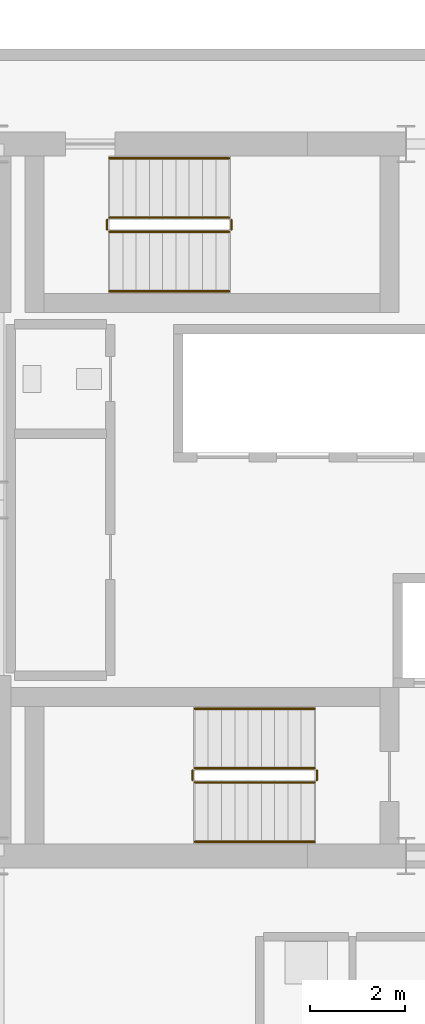
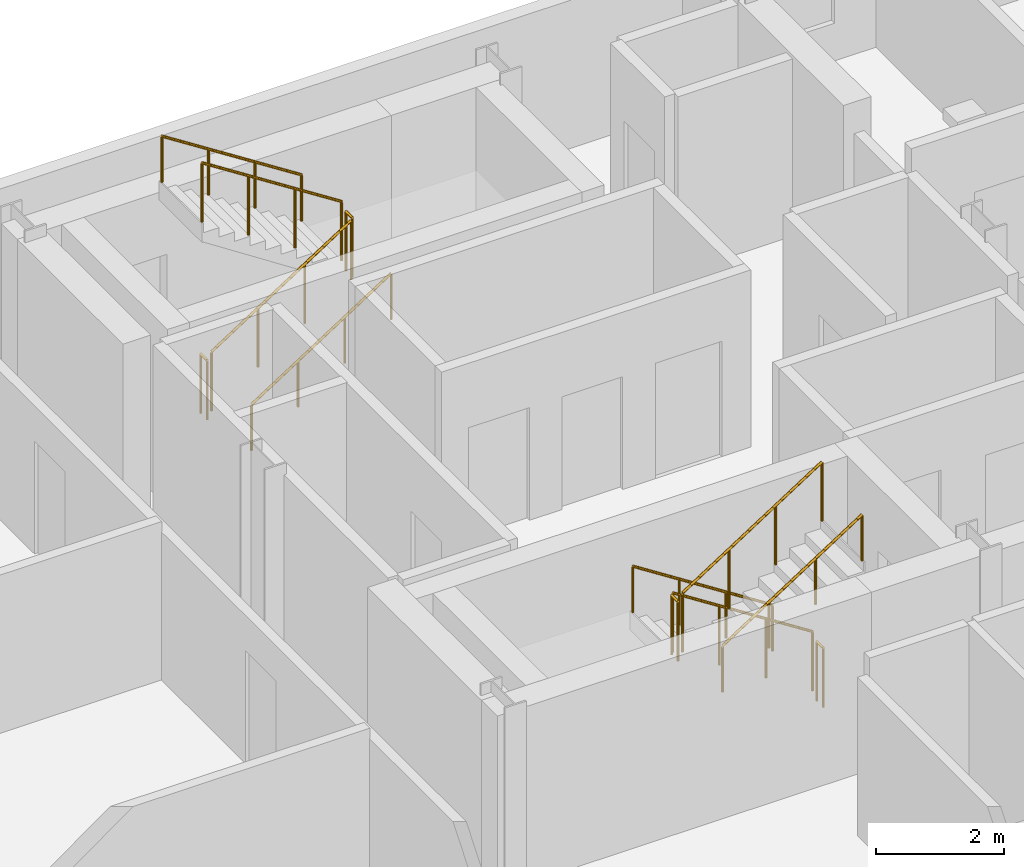
# One storey, part 15 of 16: 12 railings.
"""IFC4 building model written with IfcOpenShell, lengths in metres."""

from ifc_helpers import new_model, si_unit, direction, frame, origin, origin_2d, place, context, subcontext, project, spatial, circle, extrude, material, type_object, element, save


model = new_model("IFC4")

# Units and contexts
model_context = context("Model", 3, precision=1e-05, world=origin(), true_north=direction((0.0, 1.0)))
body_context = subcontext(model_context, "Body", "Model", "MODEL_VIEW")
ifc_project = project(units=[si_unit("LENGTHUNIT", "METRE"), si_unit("AREAUNIT", "SQUARE_METRE"), si_unit("VOLUMEUNIT", "CUBIC_METRE"), si_unit("PLANEANGLEUNIT", "RADIAN"), si_unit("MASSUNIT", "GRAM", prefix="KILO")], contexts=[model_context])

# Site, building, storey
site_placement = place(None, origin())
site = spatial("IfcSite", under=ifc_project, at=site_placement, CompositionType="ELEMENT")
building_placement = place(site_placement, origin())
building = spatial("IfcBuilding", under=site, at=building_placement, Name="Barlavira Tower and Art Museum", CompositionType="ELEMENT")
storey_placement = place(building_placement, frame((0.0, 0.0, 265.5)))
storey = spatial("IfcBuildingStorey", under=building, at=storey_placement, Name="L69", CompositionType="ELEMENT", Elevation=265.5)

# Railings
ifc_material = material(Name="Brushed stainless steel", Category="steel")
railing_type_1 = type_object("IfcRailingType", Name="Interior Void and Landing Guard Railing 1150", PredefinedType="GUARDRAIL", material=ifc_material)
railing_1_placement = place(storey_placement, frame((0.14990234375, -5.64990234375, 0.179931640625)))
element("IfcRailing", 1, at=railing_1_placement, inside=storey, type_object=railing_type_1, Name="L69 ST-T1 stair guard 1", PredefinedType="GUARDRAIL", context=body_context, shape_type="SweptSolid", body=[
    extrude(circle(Radius=0.02392578125, at=origin_2d()), frame((0.0, 0.0, 1.1259765625), z_axis=(-0.841162588446, 0.0, 0.540782303519), x_axis=(0.0, -1.0, 0.0)), (0.0, 0.0, 1.0), 2.995849609375),
    extrude(circle(Radius=0.02099609375, at=origin_2d()), origin(), (0.0, 0.0, 1.0), 1.101806640625),
    extrude(circle(Radius=0.02099609375, at=origin_2d()), frame((-0.840087890625, 0.0, 0.5400390625)), (0.0, 0.0, 1.0), 1.101806640625),
    extrude(circle(Radius=0.02099609375, at=origin_2d()), frame((-1.679931640625, 0.0, 1.080078125)), (0.0, 0.0, 1.0), 1.101806640625),
    extrude(circle(Radius=0.02099609375, at=origin_2d()), frame((-2.52001953125, 0.0, 1.6201171875)), (0.0, 0.0, 1.0), 1.101806640625),
])
railing_2_placement = place(storey_placement, frame((-2.419921875, -5.699951171875, 1.800048828125)))
element("IfcRailing", 2, at=railing_2_placement, inside=storey, type_object=railing_type_1, Name="L69 ST-T1 stair guard 2", PredefinedType="GUARDRAIL", context=body_context, shape_type="SweptSolid", body=[
    extrude(circle(Radius=0.02392578125, at=origin_2d()), frame((0.0, 0.0, 1.1259765625), z_axis=(0.0, -1.0, 0.0), x_axis=(1.0, 0.0, 0.0)), (0.0, 0.0, 1.0), 0.199951171875),
    extrude(circle(Radius=0.02099609375, at=origin_2d()), origin(), (0.0, 0.0, 1.0), 1.101806640625),
    extrude(circle(Radius=0.02099609375, at=origin_2d()), frame((0.0, -0.199951171875, 0.0)), (0.0, 0.0, 1.0), 1.101806640625),
])
railing_3_placement = place(storey_placement, frame((-2.3701171875, -5.949951171875, 1.97998046875)))
element("IfcRailing", 3, at=railing_3_placement, inside=storey, type_object=railing_type_1, Name="L69 ST-T1 stair guard 3", PredefinedType="GUARDRAIL", context=body_context, shape_type="SweptSolid", body=[
    extrude(circle(Radius=0.02392578125, at=origin_2d()), frame((0.0, 0.0, 1.1259765625), z_axis=(0.841162588446, 0.0, 0.540782303519), x_axis=(0.0, 1.0, 0.0)), (0.0, 0.0, 1.0), 2.995849609375),
    extrude(circle(Radius=0.02099609375, at=origin_2d()), origin(), (0.0, 0.0, 1.0), 1.101806640625),
    extrude(circle(Radius=0.02099609375, at=origin_2d()), frame((0.840087890625, 0.0, 0.5400390625)), (0.0, 0.0, 1.0), 1.101806640625),
    extrude(circle(Radius=0.02099609375, at=origin_2d()), frame((1.679931640625, 0.0, 1.080078125)), (0.0, 0.0, 1.0), 1.101806640625),
    extrude(circle(Radius=0.02099609375, at=origin_2d()), frame((2.52001953125, 0.0, 1.6201171875)), (0.0, 0.0, 1.0), 1.101806640625),
])
railing_4_placement = place(storey_placement, frame((0.199951171875, -5.699951171875, 0.0)))
element("IfcRailing", 4, at=railing_4_placement, inside=storey, type_object=railing_type_1, Name="L69 ST-T1 stair guard 4", PredefinedType="GUARDRAIL", context=body_context, shape_type="SweptSolid", body=[
    extrude(circle(Radius=0.02392578125, at=origin_2d()), frame((0.0, 0.0, 1.1259765625), z_axis=(0.0, -1.0, 0.0), x_axis=(1.0, 0.0, 0.0)), (0.0, 0.0, 1.0), 0.199951171875),
    extrude(circle(Radius=0.02099609375, at=origin_2d()), origin(), (0.0, 0.0, 1.0), 1.101806640625),
    extrude(circle(Radius=0.02099609375, at=origin_2d()), frame((0.0, -0.199951171875, 0.0)), (0.0, 0.0, 1.0), 1.101806640625),
])
railing_5_placement = place(storey_placement, frame((-4.169921875, 5.64990234375, 0.179931640625)))
element("IfcRailing", 5, at=railing_5_placement, inside=storey, type_object=railing_type_1, Name="L69 ST-T2 stair guard 1", PredefinedType="GUARDRAIL", context=body_context, shape_type="SweptSolid", body=[
    extrude(circle(Radius=0.02392578125, at=origin_2d()), frame((0.0, 0.0, 1.1259765625), z_axis=(0.841162588446, 0.0, 0.540782303519), x_axis=(0.0, 1.0, 0.0)), (0.0, 0.0, 1.0), 2.995849609375),
    extrude(circle(Radius=0.02099609375, at=origin_2d()), origin(), (0.0, 0.0, 1.0), 1.101806640625),
    extrude(circle(Radius=0.02099609375, at=origin_2d()), frame((0.840087890625, 0.0, 0.5400390625)), (0.0, 0.0, 1.0), 1.101806640625),
    extrude(circle(Radius=0.02099609375, at=origin_2d()), frame((1.679931640625, 0.0, 1.080078125)), (0.0, 0.0, 1.0), 1.101806640625),
    extrude(circle(Radius=0.02099609375, at=origin_2d()), frame((2.52001953125, 0.0, 1.6201171875)), (0.0, 0.0, 1.0), 1.101806640625),
])
railing_6_placement = place(storey_placement, frame((-1.60009765625, 5.699951171875, 1.800048828125)))
element("IfcRailing", 6, at=railing_6_placement, inside=storey, type_object=railing_type_1, Name="L69 ST-T2 stair guard 2", PredefinedType="GUARDRAIL", context=body_context, shape_type="SweptSolid", body=[
    extrude(circle(Radius=0.02392578125, at=origin_2d()), frame((0.0, 0.0, 1.1259765625), z_axis=(0.0, 1.0, 0.0), x_axis=(-1.0, 0.0, 0.0)), (0.0, 0.0, 1.0), 0.199951171875),
    extrude(circle(Radius=0.02099609375, at=origin_2d()), origin(), (0.0, 0.0, 1.0), 1.101806640625),
    extrude(circle(Radius=0.02099609375, at=origin_2d()), frame((0.0, 0.199951171875, 0.0)), (0.0, 0.0, 1.0), 1.101806640625),
])
railing_7_placement = place(storey_placement, frame((-1.64990234375, 5.949951171875, 1.97998046875)))
element("IfcRailing", 7, at=railing_7_placement, inside=storey, type_object=railing_type_1, Name="L69 ST-T2 stair guard 3", PredefinedType="GUARDRAIL", context=body_context, shape_type="SweptSolid", body=[
    extrude(circle(Radius=0.02392578125, at=origin_2d()), frame((0.0, 0.0, 1.1259765625), z_axis=(-0.841162588446, 0.0, 0.540782303519), x_axis=(0.0, -1.0, 0.0)), (0.0, 0.0, 1.0), 2.995849609375),
    extrude(circle(Radius=0.02099609375, at=origin_2d()), origin(), (0.0, 0.0, 1.0), 1.101806640625),
    extrude(circle(Radius=0.02099609375, at=origin_2d()), frame((-0.840087890625, 0.0, 0.5400390625)), (0.0, 0.0, 1.0), 1.101806640625),
    extrude(circle(Radius=0.02099609375, at=origin_2d()), frame((-1.679931640625, 0.0, 1.080078125)), (0.0, 0.0, 1.0), 1.101806640625),
    extrude(circle(Radius=0.02099609375, at=origin_2d()), frame((-2.52001953125, 0.0, 1.6201171875)), (0.0, 0.0, 1.0), 1.101806640625),
])
railing_8_placement = place(storey_placement, frame((-4.219970703125, 5.699951171875, 0.0)))
element("IfcRailing", 8, at=railing_8_placement, inside=storey, type_object=railing_type_1, Name="L69 ST-T2 stair guard 4", PredefinedType="GUARDRAIL", context=body_context, shape_type="SweptSolid", body=[
    extrude(circle(Radius=0.02392578125, at=origin_2d()), frame((0.0, 0.0, 1.1259765625), z_axis=(0.0, 1.0, 0.0), x_axis=(-1.0, 0.0, 0.0)), (0.0, 0.0, 1.0), 0.199951171875),
    extrude(circle(Radius=0.02099609375, at=origin_2d()), origin(), (0.0, 0.0, 1.0), 1.101806640625),
    extrude(circle(Radius=0.02099609375, at=origin_2d()), frame((0.0, 0.199951171875, 0.0)), (0.0, 0.0, 1.0), 1.101806640625),
])
railing_type_2 = type_object("IfcRailingType", Name="Stair Pitch Tubular Steel Handrail 920", PredefinedType="HANDRAIL", material=ifc_material)
railing_9_placement = place(storey_placement, frame((0.14990234375, -4.39990234375, 0.179931640625)))
element("IfcRailing", 9, at=railing_9_placement, inside=storey, type_object=railing_type_2, Name="L69 ST-T1 stair handrail 1", PredefinedType="HANDRAIL", context=body_context, shape_type="SweptSolid", body=[
    extrude(circle(Radius=0.02392578125, at=origin_2d()), frame((0.0, 0.0, 0.8759765625), z_axis=(-0.841162588446, 0.0, 0.540782303519), x_axis=(0.0, -1.0, 0.0)), (0.0, 0.0, 1.0), 2.995849609375),
    extrude(circle(Radius=0.02099609375, at=origin_2d()), origin(), (0.0, 0.0, 1.0), 0.851806640625),
    extrude(circle(Radius=0.02099609375, at=origin_2d()), frame((-0.840087890625, 0.0, 0.5400390625)), (0.0, 0.0, 1.0), 0.851806640625),
    extrude(circle(Radius=0.02099609375, at=origin_2d()), frame((-1.679931640625, 0.0, 1.080078125)), (0.0, 0.0, 1.0), 0.851806640625),
    extrude(circle(Radius=0.02099609375, at=origin_2d()), frame((-2.52001953125, 0.0, 1.6201171875)), (0.0, 0.0, 1.0), 0.851806640625),
])
for number, where, name in (
    (10, (-2.3701171875, -7.199951171875, 1.97998046875), "L69 ST-T1 stair handrail 2"),
    (11, (-4.169921875, 4.39990234375, 0.179931640625), "L69 ST-T2 stair handrail 1"),
):
    element("IfcRailing", number, at=place(storey_placement, frame(where)), inside=storey, type_object=railing_type_2, Name=name, PredefinedType="HANDRAIL", context=body_context, shape_type="SweptSolid", body=[
        extrude(circle(Radius=0.02392578125, at=origin_2d()), frame((0.0, 0.0, 0.8759765625), z_axis=(0.841162588446, 0.0, 0.540782303519), x_axis=(0.0, 1.0, 0.0)), (0.0, 0.0, 1.0), 2.995849609375),
        extrude(circle(Radius=0.02099609375, at=origin_2d()), origin(), (0.0, 0.0, 1.0), 0.851806640625),
        extrude(circle(Radius=0.02099609375, at=origin_2d()), frame((0.840087890625, 0.0, 0.5400390625)), (0.0, 0.0, 1.0), 0.851806640625),
        extrude(circle(Radius=0.02099609375, at=origin_2d()), frame((1.679931640625, 0.0, 1.080078125)), (0.0, 0.0, 1.0), 0.851806640625),
        extrude(circle(Radius=0.02099609375, at=origin_2d()), frame((2.52001953125, 0.0, 1.6201171875)), (0.0, 0.0, 1.0), 0.851806640625),
    ])
railing_10_placement = place(storey_placement, frame((-1.64990234375, 7.199951171875, 1.97998046875)))
element("IfcRailing", 12, at=railing_10_placement, inside=storey, type_object=railing_type_2, Name="L69 ST-T2 stair handrail 2", PredefinedType="HANDRAIL", context=body_context, shape_type="SweptSolid", body=[
    extrude(circle(Radius=0.02392578125, at=origin_2d()), frame((0.0, 0.0, 0.8759765625), z_axis=(-0.841162588446, 0.0, 0.540782303519), x_axis=(0.0, -1.0, 0.0)), (0.0, 0.0, 1.0), 2.995849609375),
    extrude(circle(Radius=0.02099609375, at=origin_2d()), origin(), (0.0, 0.0, 1.0), 0.851806640625),
    extrude(circle(Radius=0.02099609375, at=origin_2d()), frame((-0.840087890625, 0.0, 0.5400390625)), (0.0, 0.0, 1.0), 0.851806640625),
    extrude(circle(Radius=0.02099609375, at=origin_2d()), frame((-1.679931640625, 0.0, 1.080078125)), (0.0, 0.0, 1.0), 0.851806640625),
    extrude(circle(Radius=0.02099609375, at=origin_2d()), frame((-2.52001953125, 0.0, 1.6201171875)), (0.0, 0.0, 1.0), 0.851806640625),
])

save(model, "model.ifc")
